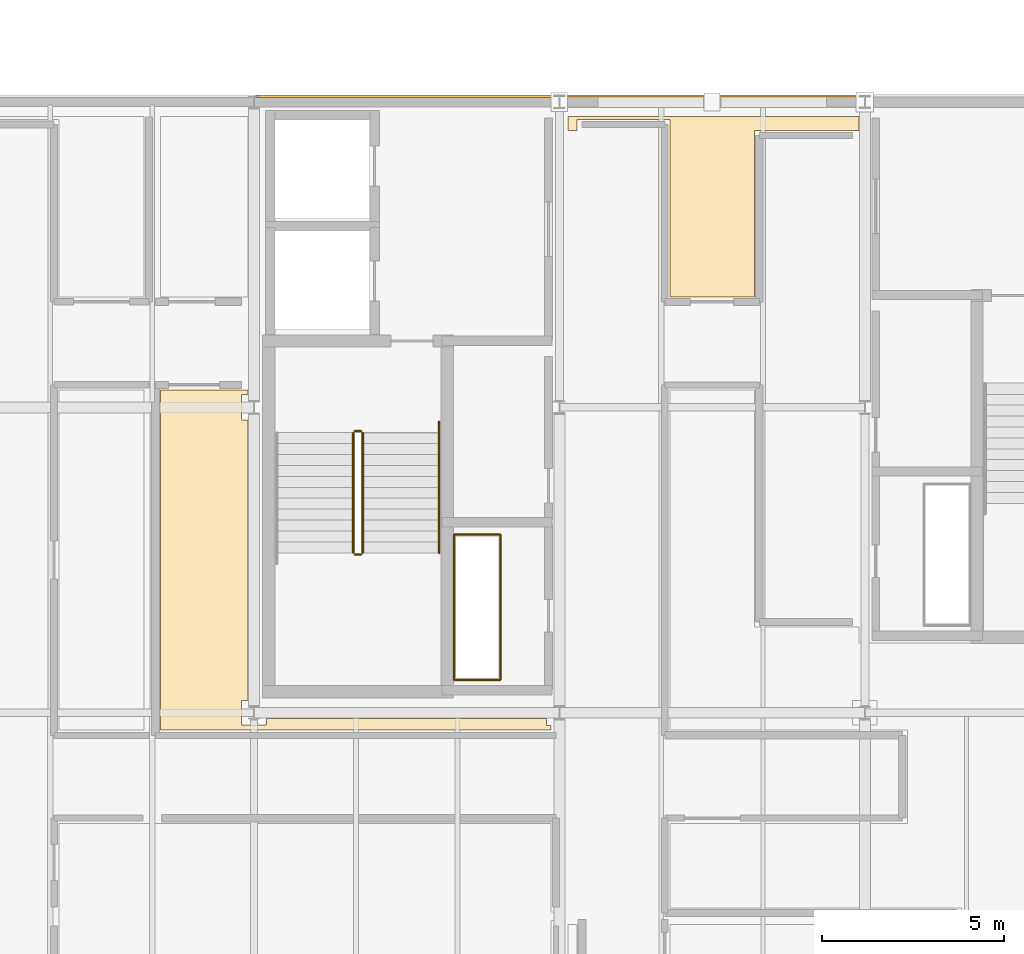
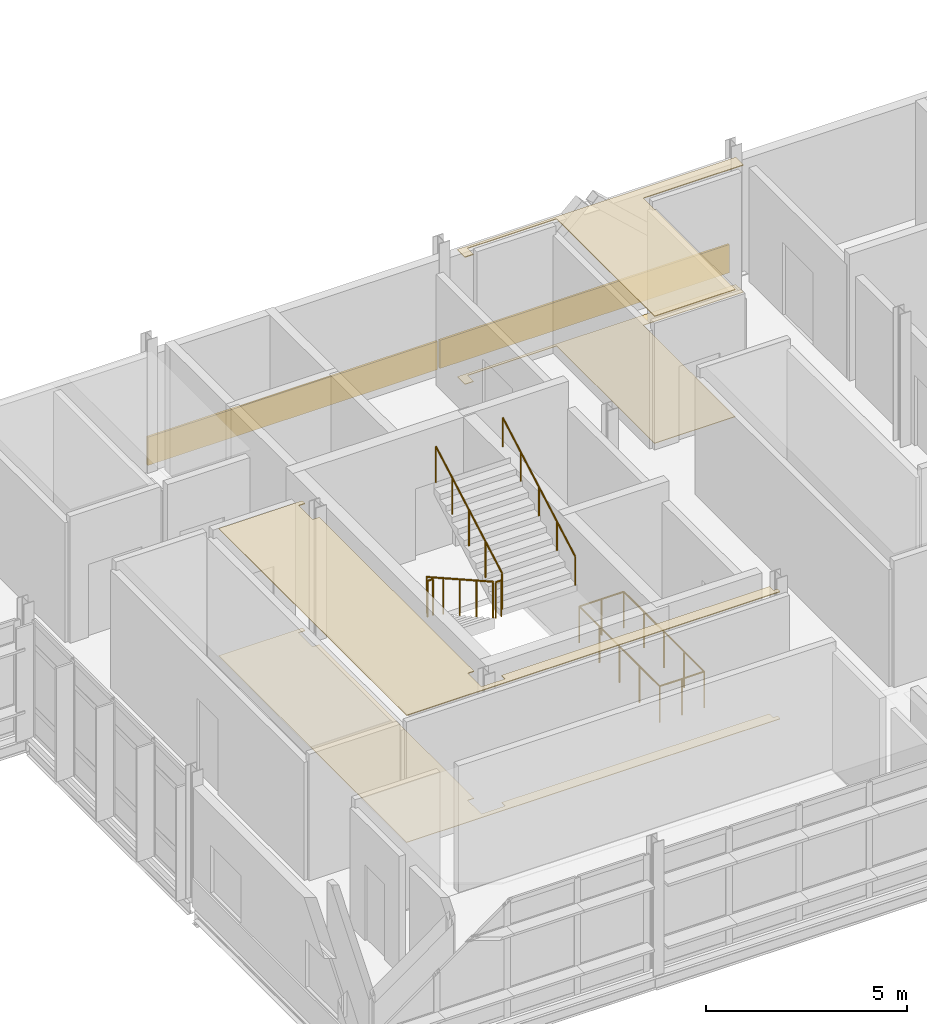
# One storey, part 55 of 57: 6 coverings, 6 railings.
"""IFC4 building model written with IfcOpenShell, lengths in metres."""

from ifc_helpers import new_model, si_unit, direction, frame, origin, origin_2d, place, context, subcontext, project, spatial, polyline, rectangle, circle, outline, extrude, material, layer, layer_set, type_object, element, save


model = new_model("IFC4")

# Units and contexts
model_context = context("Model", 3, precision=1e-05, world=origin(), true_north=direction((0.0, 1.0)))
body_context = subcontext(model_context, "Body", "Model", "MODEL_VIEW")
ifc_project = project(units=[si_unit("LENGTHUNIT", "METRE"), si_unit("AREAUNIT", "SQUARE_METRE"), si_unit("VOLUMEUNIT", "CUBIC_METRE"), si_unit("PLANEANGLEUNIT", "RADIAN"), si_unit("MASSUNIT", "GRAM", prefix="KILO")], contexts=[model_context])

# Site, building, storey
site_placement = place(None, origin())
site = spatial("IfcSite", under=ifc_project, at=site_placement, CompositionType="ELEMENT")
building_placement = place(site_placement, origin())
building = spatial("IfcBuilding", under=site, at=building_placement, Name="Mersafa Astral City Hall", CompositionType="ELEMENT")
storey_placement = place(building_placement, frame((0.0, 0.0, 26.10009765625)))
storey = spatial("IfcBuildingStorey", under=building, at=storey_placement, Name="L06", CompositionType="ELEMENT", Elevation=26.10009765625)

# Coverings
ifc_material_1 = material(Name="Cairo Mokattam buff limestone cladding", Category="masonry")
ifc_layer_1 = layer(ifc_material_1, 0.06005859375, Name="Cairo Mokattam buff limestone cladding")
ifc_layer_set_1 = layer_set([ifc_layer_1], Name="Cairo Mokattam buff limestone cladding — ENV-COV-LIMESTONE-60")
covering_type_1 = type_object("IfcCoveringType", Name="ENV-COV-LIMESTONE-60", PredefinedType="CLADDING", material=ifc_layer_set_1)
for number, where, z_axis, x_axis, name in (
    (1, (163.800048828125, 126.162109375, 0.0), (0.0, 0.0, 1.0), (-1.0, 0.0, 0.0), "L06 Cairo buff limestone rainscreen cladding 351"),
    (2, (155.39990234375, 126.154541015625, 0.0), (0.0, 0.0, 1.0), (-1.0, 0.0, 0.0), "L06 Cairo buff limestone rainscreen cladding 352"),
):
    element("IfcCovering", number, at=place(storey_placement, frame(where, z_axis=z_axis, x_axis=x_axis)), inside=storey, type_object=covering_type_1, Name=name, PredefinedType="CLADDING", context=body_context, shape_type="SweptSolid", body=[
        extrude(rectangle(XDim=8.323974609375, YDim=0.06005859375, at=origin_2d()), origin(), (0.0, 0.0, 1.0), 0.860107421875),
    ])

# Railings
ifc_material_2 = material(Name="Painted architectural steel stair guard balustrade", Category="steel")
railing_type_1 = type_object("IfcRailingType", Name="GUARD-RAIL", PredefinedType="BALUSTRADE", material=ifc_material_2)
railing_1_placement = place(storey_placement, frame((153.929931640625, 116.89990234375, 0.168701171875)))
element("IfcRailing", 3, at=railing_1_placement, inside=storey, type_object=railing_type_1, Name="L06 ST1 stair guard 1", PredefinedType="BALUSTRADE", context=body_context, shape_type="SweptSolid", body=[
    extrude(circle(Radius=0.02392578125, at=origin_2d()), frame((0.0, 0.0, 1.09619140625), z_axis=(0.0, -0.871568648517, 0.490273485845), x_axis=(1.0, 0.0, 0.0)), (0.0, 0.0, 1.0), 3.7861328125),
    extrude(circle(Radius=0.02099609375, at=origin_2d()), origin(), (0.0, 0.0, 1.0), 1.072021484375),
    extrude(circle(Radius=0.02099609375, at=origin_2d()), frame((0.0, -0.824951171875, 0.464111328125)), (0.0, 0.0, 1.0), 1.072021484375),
    extrude(circle(Radius=0.02099609375, at=origin_2d()), frame((0.0, -1.64990234375, 0.92822265625)), (0.0, 0.0, 1.0), 1.072021484375),
    extrude(circle(Radius=0.02099609375, at=origin_2d()), frame((0.0, -2.474853515625, 1.39208984375)), (0.0, 0.0, 1.0), 1.072021484375),
    extrude(circle(Radius=0.02099609375, at=origin_2d()), frame((0.0, -3.2998046875, 1.856201171875)), (0.0, 0.0, 1.0), 1.072021484375),
])
railing_2_placement = place(storey_placement, frame((153.97998046875, 113.550048828125, 2.02490234375)))
element("IfcRailing", 4, at=railing_2_placement, inside=storey, type_object=railing_type_1, Name="L06 ST1 stair guard 2", PredefinedType="BALUSTRADE", context=body_context, shape_type="SweptSolid", body=[
    extrude(circle(Radius=0.02392578125, at=origin_2d()), frame((0.0, 0.0, 1.09619140625), z_axis=(1.0, 0.0, 0.0), x_axis=(0.0, 1.0, 0.0)), (0.0, 0.0, 1.0), 0.159912109375),
    extrude(circle(Radius=0.02099609375, at=origin_2d()), origin(), (0.0, 0.0, 1.0), 1.072021484375),
    extrude(circle(Radius=0.02099609375, at=origin_2d()), frame((0.159912109375, 0.0, 0.0)), (0.0, 0.0, 1.0), 1.072021484375),
])
railing_3_placement = place(storey_placement, frame((154.18994140625, 113.60009765625, 2.193603515625)))
element("IfcRailing", 5, at=railing_3_placement, inside=storey, type_object=railing_type_1, Name="L06 ST1 stair guard 3", PredefinedType="BALUSTRADE", context=body_context, shape_type="SweptSolid", body=[
    extrude(circle(Radius=0.02392578125, at=origin_2d()), frame((0.0, 0.0, 1.09619140625), z_axis=(0.0, 0.871568648517, 0.490273485845), x_axis=(-1.0, 0.0, 0.0)), (0.0, 0.0, 1.0), 3.7861328125),
    extrude(circle(Radius=0.02099609375, at=origin_2d()), origin(), (0.0, 0.0, 1.0), 1.072021484375),
    extrude(circle(Radius=0.02099609375, at=origin_2d()), frame((0.0, 0.824951171875, 0.464111328125)), (0.0, 0.0, 1.0), 1.072021484375),
    extrude(circle(Radius=0.02099609375, at=origin_2d()), frame((0.0, 1.64990234375, 0.92822265625)), (0.0, 0.0, 1.0), 1.072021484375),
    extrude(circle(Radius=0.02099609375, at=origin_2d()), frame((0.0, 2.474853515625, 1.39208984375)), (0.0, 0.0, 1.0), 1.072021484375),
    extrude(circle(Radius=0.02099609375, at=origin_2d()), frame((0.0, 3.2998046875, 1.856201171875)), (0.0, 0.0, 1.0), 1.072021484375),
])
railing_4_placement = place(storey_placement, frame((153.97998046875, 116.949951171875, 0.0)))
element("IfcRailing", 6, at=railing_4_placement, inside=storey, type_object=railing_type_1, Name="L06 ST1 stair guard 4", PredefinedType="BALUSTRADE", context=body_context, shape_type="SweptSolid", body=[
    extrude(circle(Radius=0.02392578125, at=origin_2d()), frame((0.0, 0.0, 1.09619140625), z_axis=(1.0, 0.0, 0.0), x_axis=(0.0, 1.0, 0.0)), (0.0, 0.0, 1.0), 0.159912109375),
    extrude(circle(Radius=0.02099609375, at=origin_2d()), origin(), (0.0, 0.0, 1.0), 1.072021484375),
    extrude(circle(Radius=0.02099609375, at=origin_2d()), frame((0.159912109375, 0.0, 0.0)), (0.0, 0.0, 1.0), 1.072021484375),
])
railing_5_placement = place(storey_placement, frame((156.699951171875, 110.10009765625, 0.0)))
element("IfcRailing", 7, at=railing_5_placement, inside=storey, type_object=railing_type_1, Name="L06 K1 MEP Riser Shaft Guard", PredefinedType="BALUSTRADE", context=body_context, shape_type="SweptSolid", body=[
    extrude(circle(Radius=0.02392578125, at=origin_2d()), frame((0.0, 0.0, 1.09619140625), z_axis=(1.0, 0.0, 0.0), x_axis=(0.0, 1.0, 0.0)), (0.0, 0.0, 1.0), 1.280029296875),
    extrude(circle(Radius=0.02392578125, at=origin_2d()), frame((1.280029296875, 0.0, 1.09619140625), z_axis=(0.0, 1.0, 0.0), x_axis=(-1.0, 0.0, 0.0)), (0.0, 0.0, 1.0), 4.0),
    extrude(circle(Radius=0.02392578125, at=origin_2d()), frame((1.280029296875, 4.0, 1.09619140625), z_axis=(-1.0, 0.0, 0.0), x_axis=(0.0, -1.0, 0.0)), (0.0, 0.0, 1.0), 1.280029296875),
    extrude(circle(Radius=0.02392578125, at=origin_2d()), frame((0.0, 4.0, 1.09619140625), z_axis=(0.0, -1.0, 0.0), x_axis=(1.0, 0.0, 0.0)), (0.0, 0.0, 1.0), 4.0),
    extrude(circle(Radius=0.02099609375, at=origin_2d()), origin(), (0.0, 0.0, 1.0), 1.072021484375),
    extrude(circle(Radius=0.02099609375, at=origin_2d()), frame((0.64013671875, 0.0, 0.0)), (0.0, 0.0, 1.0), 1.072021484375),
    extrude(circle(Radius=0.02099609375, at=origin_2d()), frame((1.280029296875, 0.0, 0.0)), (0.0, 0.0, 1.0), 1.072021484375),
    extrude(circle(Radius=0.02099609375, at=origin_2d()), frame((1.280029296875, 1.0, 0.0)), (0.0, 0.0, 1.0), 1.072021484375),
    extrude(circle(Radius=0.02099609375, at=origin_2d()), frame((1.280029296875, 2.0, 0.0)), (0.0, 0.0, 1.0), 1.072021484375),
    extrude(circle(Radius=0.02099609375, at=origin_2d()), frame((1.280029296875, 3.0, 0.0)), (0.0, 0.0, 1.0), 1.072021484375),
    extrude(circle(Radius=0.02099609375, at=origin_2d()), frame((1.280029296875, 4.0, 0.0)), (0.0, 0.0, 1.0), 1.072021484375),
    extrude(circle(Radius=0.02099609375, at=origin_2d()), frame((0.64013671875, 4.0, 0.0)), (0.0, 0.0, 1.0), 1.072021484375),
    extrude(circle(Radius=0.02099609375, at=origin_2d()), frame((0.0, 4.0, 0.0)), (0.0, 0.0, 1.0), 1.072021484375),
    extrude(circle(Radius=0.02099609375, at=origin_2d()), frame((0.0, 3.0, 0.0)), (0.0, 0.0, 1.0), 1.072021484375),
    extrude(circle(Radius=0.02099609375, at=origin_2d()), frame((0.0, 2.0, 0.0)), (0.0, 0.0, 1.0), 1.072021484375),
    extrude(circle(Radius=0.02099609375, at=origin_2d()), frame((0.0, 1.0, 0.0)), (0.0, 0.0, 1.0), 1.072021484375),
])
ifc_material_3 = material(Name="Brushed stainless steel tubular handrail", Category="steel")
railing_type_2 = type_object("IfcRailingType", Name="HANDRAIL", PredefinedType="HANDRAIL", material=ifc_material_3)
railing_6_placement = place(storey_placement, frame((156.2900390625, 113.60009765625, 2.193603515625)))
element("IfcRailing", 8, at=railing_6_placement, inside=storey, type_object=railing_type_2, Name="L06 ST1 stair handrail 2", PredefinedType="HANDRAIL", context=body_context, shape_type="SweptSolid", body=[
    extrude(circle(Radius=0.02392578125, at=origin_2d()), frame((0.0, 0.0, 0.8759765625), z_axis=(0.0, 0.871248695433, 0.49084183879), x_axis=(-1.0, 0.0, 0.0)), (0.0, 0.0, 1.0), 4.1318359375),
    extrude(circle(Radius=0.02099609375, at=origin_2d()), origin(), (0.0, 0.0, 1.0), 0.851806640625),
    extrude(circle(Radius=0.02099609375, at=origin_2d()), frame((0.0, 0.89990234375, 0.507080078125)), (0.0, 0.0, 1.0), 0.851806640625),
    extrude(circle(Radius=0.02099609375, at=origin_2d()), frame((0.0, 1.7998046875, 1.01416015625)), (0.0, 0.0, 1.0), 0.851806640625),
    extrude(circle(Radius=0.02099609375, at=origin_2d()), frame((0.0, 2.699951171875, 1.52099609375)), (0.0, 0.0, 1.0), 0.851806640625),
    extrude(circle(Radius=0.02099609375, at=origin_2d()), frame((0.0, 3.599853515625, 2.028076171875)), (0.0, 0.0, 1.0), 0.851806640625),
])

# Coverings
ifc_material_4 = material(Name="Perforated acoustic gypsum board ceiling", Category="gypsum")
ifc_layer_2 = layer(ifc_material_4, 0.02490234375, Name="Perforated acoustic gypsum board ceiling")
ifc_layer_set_2 = layer_set([ifc_layer_2], Name="Perforated acoustic gypsum board ceiling — INT-COV-CEIL-25")
covering_type_2 = type_object("IfcCoveringType", Name="INT-COV-CEIL-25", PredefinedType="CEILING", material=ifc_layer_set_2)
covering_1_placement = place(storey_placement, frame((0.0, 0.0, 3.85595703125)))
element("IfcCovering", 9, at=covering_1_placement, inside=storey, type_object=covering_type_2, Name="L06 Civic Diplomatic Reception Salon L06-12 acoustic ceiling", PredefinedType="CEILING", context=body_context, shape_type="SweptSolid", body=[
    extrude(outline(polyline([(148.6298828125, 108.719970703125), (148.6298828125, 118.080078125), (151.0400390625, 118.080078125), (151.0400390625, 117.949951171875), (150.85009765625, 117.949951171875), (150.85009765625, 117.25), (151.0400390625, 117.25), (151.0400390625, 109.5400390625), (150.860107421875, 109.5400390625), (150.860107421875, 108.860107421875), (151.5400390625, 108.860107421875), (151.5400390625, 109.0400390625), (159.25, 109.0400390625), (159.25, 108.85009765625), (159.3701171875, 108.85009765625), (159.3701171875, 108.719970703125), (148.6298828125, 108.719970703125)])), origin(), (0.0, 0.0, 1.0), 0.02490234375),
])
covering_2_placement = place(storey_placement, frame((0.0, 0.0, 3.85595703125)))
element("IfcCovering", 10, at=covering_2_placement, inside=storey, type_object=covering_type_2, Name="L06 Municipal Cabinet Meeting Room L06-17 acoustic ceiling", PredefinedType="CEILING", context=body_context, shape_type="SweptSolid", body=[
    extrude(outline(polyline([(164.9599609375, 125.219970703125), (164.9599609375, 120.639892578125), (162.639892578125, 120.639892578125), (162.639892578125, 125.52001953125), (160.080078125, 125.52001953125), (160.080078125, 125.219970703125), (159.830078125, 125.219970703125), (159.830078125, 125.60009765625), (167.840087890625, 125.60009765625), (167.840087890625, 125.219970703125), (164.9599609375, 125.219970703125)])), origin(), (0.0, 0.0, 1.0), 0.02490234375),
])
ifc_material_5 = material(Name="Heavy-duty woven acoustic carpet tile", Category="finish")
ifc_layer_3 = layer(ifc_material_5, 0.014892578125, Name="Heavy-duty woven acoustic carpet tile")
ifc_layer_set_3 = layer_set([ifc_layer_3], Name="Heavy-duty woven acoustic carpet tile — INT-COV-FLR-15")
covering_type_3 = type_object("IfcCoveringType", Name="INT-COV-FLR-15", PredefinedType="FLOORING", material=ifc_layer_set_3)
covering_3_placement = place(storey_placement, frame((0.0, 0.0, -0.001708984375)))
element("IfcCovering", 11, at=covering_3_placement, inside=storey, type_object=covering_type_3, Name="L06 Civic Diplomatic Reception Salon L06-12 architectural flooring", PredefinedType="FLOORING", context=body_context, shape_type="SweptSolid", body=[
    extrude(outline(polyline([(148.6298828125, 108.719970703125), (148.6298828125, 118.080078125), (151.0400390625, 118.080078125), (151.0400390625, 117.949951171875), (150.85009765625, 117.949951171875), (150.85009765625, 117.25), (151.0400390625, 117.25), (151.0400390625, 109.5400390625), (150.860107421875, 109.5400390625), (150.860107421875, 108.860107421875), (151.5400390625, 108.860107421875), (151.5400390625, 109.0400390625), (159.25, 109.0400390625), (159.25, 108.85009765625), (159.3701171875, 108.85009765625), (159.3701171875, 108.719970703125), (148.6298828125, 108.719970703125)])), origin(), (0.0, 0.0, 1.0), 0.014892578125),
])
covering_4_placement = place(storey_placement, frame((0.0, 0.0, -0.001708984375)))
element("IfcCovering", 12, at=covering_4_placement, inside=storey, type_object=covering_type_3, Name="L06 Municipal Cabinet Meeting Room L06-17 architectural flooring", PredefinedType="FLOORING", context=body_context, shape_type="SweptSolid", body=[
    extrude(outline(polyline([(164.9599609375, 125.219970703125), (164.9599609375, 120.639892578125), (162.639892578125, 120.639892578125), (162.639892578125, 125.52001953125), (160.080078125, 125.52001953125), (160.080078125, 125.219970703125), (159.830078125, 125.219970703125), (159.830078125, 125.60009765625), (167.840087890625, 125.60009765625), (167.840087890625, 125.219970703125), (164.9599609375, 125.219970703125)])), origin(), (0.0, 0.0, 1.0), 0.014892578125),
])

save(model, "model.ifc")
